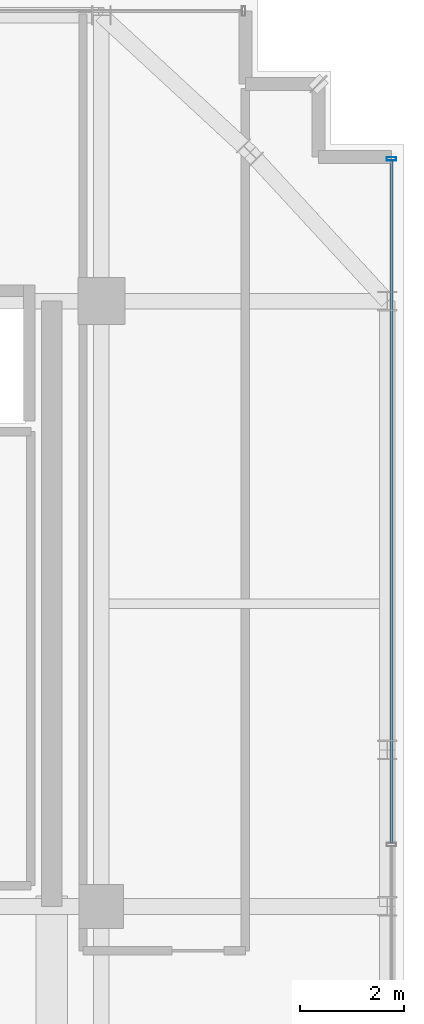
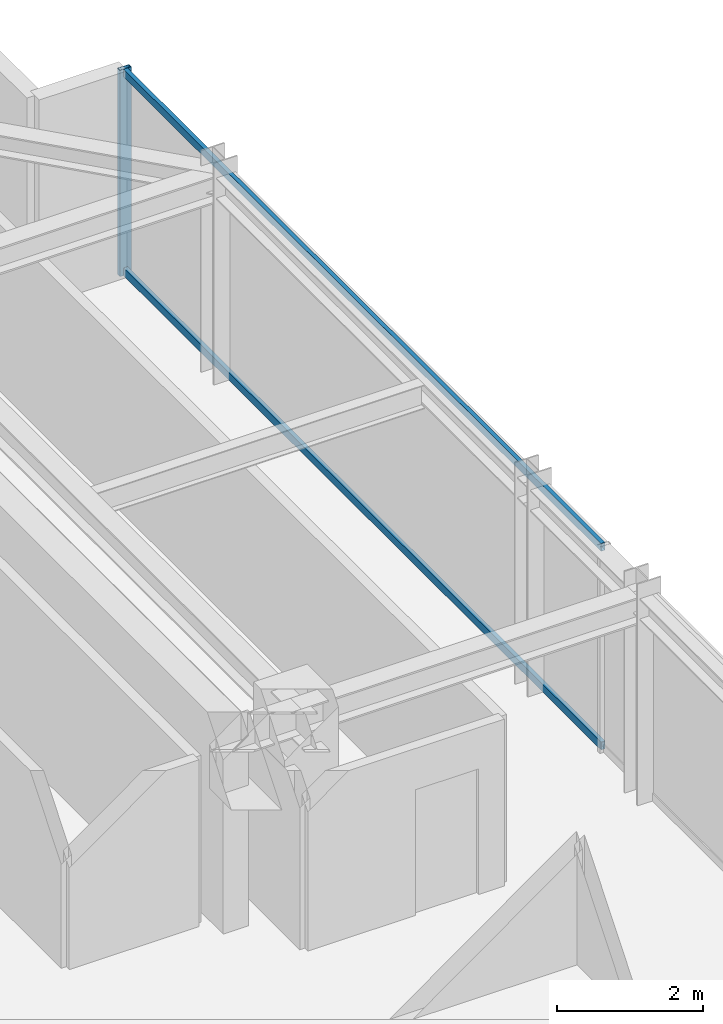
# One storey, part 24 of 36: 3 members, 1 element without a shape of its own.
"""IFC4 building model written with IfcOpenShell, lengths in metres."""

from ifc_helpers import new_model, si_unit, direction, frame, origin, origin_2d, place, context, subcontext, project, spatial, hollow_rectangle, extrude, source, transform, mapped, material, material_profile, profile_set, type_object, element, aggregate, save


model = new_model("IFC4")

# Units and contexts
model_context = context("Model", 3, precision=1e-05, world=origin(), true_north=direction((0.0, 1.0)))
body_context = subcontext(model_context, "Body", "Model", "MODEL_VIEW")
ifc_project = project(units=[si_unit("LENGTHUNIT", "METRE"), si_unit("AREAUNIT", "SQUARE_METRE"), si_unit("VOLUMEUNIT", "CUBIC_METRE"), si_unit("PLANEANGLEUNIT", "RADIAN"), si_unit("MASSUNIT", "GRAM", prefix="KILO")], contexts=[model_context])

# Site, building, storey
site_placement = place(None, origin())
site = spatial("IfcSite", under=ifc_project, at=site_placement, CompositionType="ELEMENT")
building_placement = place(site_placement, origin())
building = spatial("IfcBuilding", under=site, at=building_placement, Name="Nahalor Promenade Grand Hotel", CompositionType="ELEMENT")
storey_placement = place(building_placement, frame((0.0, 0.0, 273.800048828125)))
storey = spatial("IfcBuildingStorey", under=building, at=storey_placement, Name="L70", CompositionType="ELEMENT", Elevation=273.800048828125)

# Curtain wall, members
ifc_material = material(Name="Anodised Bronze Aluminium EN AW-6063 T6", Category="aluminium")
curtain_wall_type = type_object("IfcCurtainWallType", Name="CW2 Typical Hotel Flush Bronze Unitised Curtain Wall", PredefinedType="USERDEFINED", material=ifc_material)
curtain_wall_placement = place(storey_placement, origin())
curtain_wall = element("IfcCurtainWall", 1, at=curtain_wall_placement, inside=storey, type_object=curtain_wall_type, Name="L70 Curtain Wall CW-L70-E-1", ObjectType="UNITISED_CURTAIN_WALL", PredefinedType="USERDEFINED")
ifc_material_profile_1 = material_profile(ifc_material, hollow_rectangle(XDim=0.065, YDim=0.13, WallThickness=0.004, at=origin_2d()), Name="CWT 65x130x4")
ifc_profile_set_1 = profile_set([ifc_material_profile_1], Name="Anodised Bronze Aluminium EN AW-6063 T6")
member_type_1 = type_object("IfcMemberType", Name="CWT2 Typical Bronze Transom 65x130", PredefinedType="USERDEFINED", material=ifc_profile_set_1)
shared_shape_1 = source(origin(), body_context, "Body", "SweptSolid", [
    extrude(hollow_rectangle(XDim=0.065, YDim=0.13, WallThickness=0.004, at=origin_2d()), origin(), (0.0, 0.0, 1.0), 13.075927734375),
])
member_1_placement = place(storey_placement, frame((22.56005859375, 6.619140625, 0.06494140625), z_axis=(0.0, 1.0, 0.0), x_axis=(-1.0, 0.0, 0.0)))
member_1 = element("IfcMember", 2, at=member_1_placement, type_object=member_type_1, Name="CW-L70-E-1 Transom 2-0", ObjectType="TRANSOM", PredefinedType="USERDEFINED", context=body_context, shape_type="MappedRepresentation", body=[
    mapped(shared_shape_1, transform((0.0, 0.0, 0.0), scale=1.0)),
])
member_2_placement = place(storey_placement, frame((22.56005859375, 6.619140625, 3.385009765625), z_axis=(0.0, 1.0, 0.0), x_axis=(-1.0, 0.0, 0.0)))
member_2 = element("IfcMember", 3, at=member_2_placement, type_object=member_type_1, Name="CW-L70-E-1 Transom 2-1", ObjectType="TRANSOM", PredefinedType="USERDEFINED", context=body_context, shape_type="MappedRepresentation", body=[
    mapped(shared_shape_1, transform((0.0, 0.0, 0.0), scale=1.0)),
])
ifc_material_profile_2 = material_profile(ifc_material, hollow_rectangle(XDim=0.065, YDim=0.18, WallThickness=0.004, at=origin_2d()), Name="CWM 65x180x4")
ifc_profile_set_2 = profile_set([ifc_material_profile_2], Name="Anodised Bronze Aluminium EN AW-6063 T6")
member_type_2 = type_object("IfcMemberType", Name="CWM2 Typical Bronze Mullion 65x180", PredefinedType="MULLION", material=ifc_profile_set_2)
shared_shape_2 = source(origin(), body_context, "Body", "SweptSolid", [
    extrude(hollow_rectangle(XDim=0.065, YDim=0.18, WallThickness=0.004, at=origin_2d()), origin(), (0.0, 0.0, 1.0), 3.449951171875),
])
member_3_placement = place(storey_placement, frame((22.56005859375, 19.7275390625, 0.0), z_axis=(0.0, 0.0, 1.0), x_axis=(0.0, 1.0, 0.0)))
member_3 = element("IfcMember", 4, at=member_3_placement, type_object=member_type_2, Name="CW-L70-E-1 Mullion 3", PredefinedType="MULLION", context=body_context, shape_type="MappedRepresentation", body=[
    mapped(shared_shape_2, transform((0.0, 0.0, 0.0), scale=1.0)),
])
aggregate(curtain_wall, [member_3, member_1, member_2])

save(model, "model.ifc")
